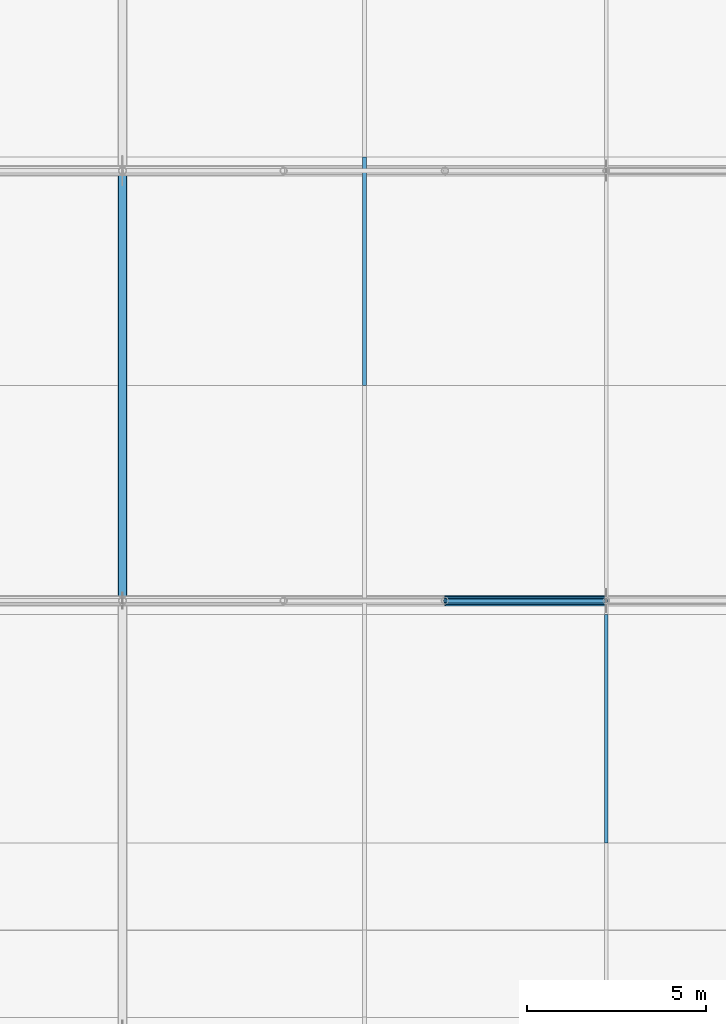
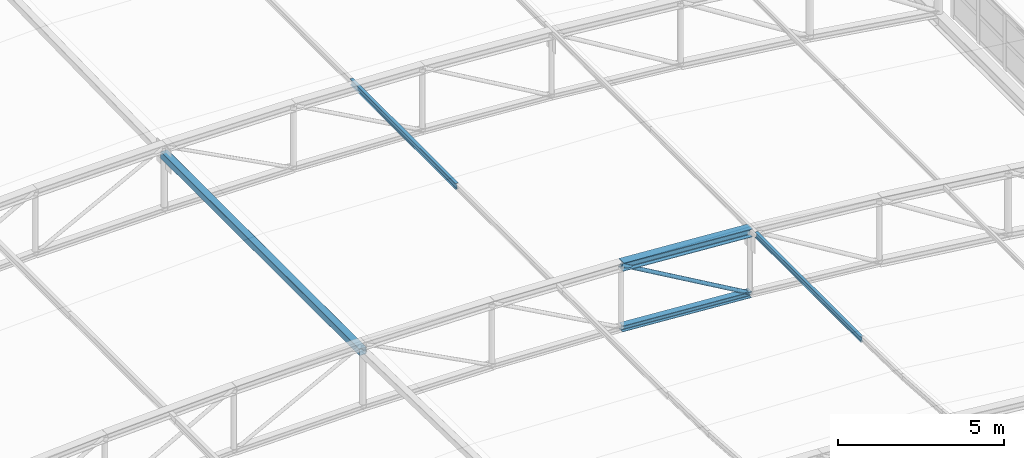
# One storey, part 98 of 262: 6 members.
"""IFC4 building model written with IfcOpenShell, lengths in metres."""

import ifcopenshell
import ifcopenshell.guid

model = None  # the IFC model being written
_history = None  # IfcOwnerHistory: only IFC2X3 demands one
_inside = {}  # id of a spatial element -> (the spatial element, [elements in it])
_under = {}  # id of a project, library or spatial element -> (it, [spatial elements below it])
_declared = {}  # id of a project -> (the project, [libraries it declares])
_typed = {}  # id of a type object -> (the type object, [elements of that type])
_made_of = {}  # id of a material, layer set ... -> (it, [elements and type objects made of it])


def new_model(schema):
    """Start an empty IFC model of exactly this schema.

    Asked for "IFC4X3", IfcOpenShell would pick the latest addendum, in which some entities
    have other attributes; the version numbers below select the first issue.
    IFC2X3 requires an IfcOwnerHistory on every rooted entity: one is made here for all.
    """
    global model, _history
    if schema == "IFC4X3":
        model = ifcopenshell.file(schema_version=(4, 3, 0, 0))
    else:
        model = ifcopenshell.file(schema=schema)
    _inside.clear()
    _under.clear()
    _declared.clear()
    _typed.clear()
    _made_of.clear()
    _history = None
    if model.schema == "IFC2X3":
        org = make("IfcOrganization", Name="unknown")
        user = make(
            "IfcPersonAndOrganization",
            ThePerson=make("IfcPerson", FamilyName="unknown"),
            TheOrganization=org,
        )
        app = make(
            "IfcApplication",
            ApplicationDeveloper=org,
            Version="unknown",
            ApplicationFullName="unknown",
            ApplicationIdentifier="unknown",
        )
        _history = make(
            "IfcOwnerHistory",
            OwningUser=user,
            OwningApplication=app,
            ChangeAction="ADDED",
            CreationDate=0,
        )
    return model


def make(cls, **values):
    """One entity of the class cls with the attributes given. An attribute that is None is left unset."""
    return model.create_entity(
        cls, **{name: value for name, value in values.items() if value is not None}
    )


def rooted(cls, **values):
    """An entity with a GlobalId (a new one), such as an element, a storey or a relation."""
    return make(cls, GlobalId=ifcopenshell.guid.new(), OwnerHistory=_history, **values)


def si_unit(unit_type, name, prefix=None):
    """IfcSIUnit, for example si_unit("LENGTHUNIT", "METRE", prefix="MILLI")."""
    return make("IfcSIUnit", UnitType=unit_type, Prefix=prefix, Name=name)


def derived_unit(unit_type, elements):
    """IfcDerivedUnit: a product of units, each with its exponent."""
    return make(
        "IfcDerivedUnit",
        Elements=[
            make("IfcDerivedUnitElement", Unit=unit, Exponent=power)
            for unit, power in elements
        ],
        UnitType=unit_type,
    )


def assignment(units):
    """IfcUnitAssignment: the units of a project."""
    return None if units is None else make("IfcUnitAssignment", Units=units)


def point(xyz):
    """IfcCartesianPoint."""
    return None if xyz is None else make("IfcCartesianPoint", Coordinates=xyz)


def direction(xyz):
    """IfcDirection."""
    return None if xyz is None else make("IfcDirection", DirectionRatios=xyz)


def frame(location, z_axis=None, x_axis=None):
    """IfcAxis2Placement3D, a coordinate frame: its origin and axes. An axis left out is left unset."""
    return make(
        "IfcAxis2Placement3D",
        Location=point(location),
        Axis=direction(z_axis),
        RefDirection=direction(x_axis),
    )


def frame_2d(location, x_axis=None):
    """IfcAxis2Placement2D, a coordinate frame in the plane: its origin and x axis."""
    return make(
        "IfcAxis2Placement2D", Location=point(location), RefDirection=direction(x_axis)
    )


def origin():
    """The frame at (0, 0, 0) with its axes left unset."""
    return frame((0.0, 0.0, 0.0))


def origin_2d():
    """The frame at (0, 0) in the plane with its x axis left unset."""
    return frame_2d((0.0, 0.0))


def place(relative_to, where):
    """IfcLocalPlacement: puts the frame where relative to a parent placement (None: the world)."""
    return make(
        "IfcLocalPlacement", PlacementRelTo=relative_to, RelativePlacement=where
    )


def context(
    kind, dimensions, precision=None, world=None, true_north=None, identifier=None
):
    """IfcGeometricRepresentationContext, for example the 3D "Model" context."""
    return make(
        "IfcGeometricRepresentationContext",
        ContextIdentifier=identifier,
        ContextType=kind,
        CoordinateSpaceDimension=dimensions,
        Precision=precision,
        WorldCoordinateSystem=world,
        TrueNorth=true_north,
    )


def subcontext(parent, identifier, kind, view, scale=None):
    """IfcGeometricRepresentationSubContext, for example "Body" below "Model"."""
    return make(
        "IfcGeometricRepresentationSubContext",
        ContextIdentifier=identifier,
        ContextType=kind,
        ParentContext=parent,
        TargetScale=scale,
        TargetView=view,
    )


def project(units=None, contexts=None):
    """IfcProject with its units and contexts."""
    return rooted(
        "IfcProject",
        Name="project",
        RepresentationContexts=contexts,
        UnitsInContext=assignment(units),
    )


def spatial(cls, under=None, at=None, **own):
    """A site, building, storey or space (cls), placed at a placement, below another one or the project."""
    s = rooted(cls, ObjectPlacement=at, **own)
    if under is not None:
        _under.setdefault(under.id(), (under, []))[1].append(s)
    return s


def profile(cls, at=None, kind="AREA", **sizes):
    """A parametric profile (cls). Its sizes go by their IFC names, for example OverallWidth=200.0."""
    return make(cls, ProfileType=kind, Position=at, **sizes)


def hollow_rectangle(**sizes):
    """IfcRectangleHollowProfileDef."""
    return profile("IfcRectangleHollowProfileDef", **sizes)


def hollow_circle(**sizes):
    """IfcCircleHollowProfileDef."""
    return profile("IfcCircleHollowProfileDef", **sizes)


def i_section(**sizes):
    """IfcIShapeProfileDef."""
    return profile("IfcIShapeProfileDef", **sizes)


def extrude(swept, where, along, depth):
    """IfcExtrudedAreaSolid: the profile swept, set in the frame where, extruded along a direction by depth."""
    return make(
        "IfcExtrudedAreaSolid",
        SweptArea=swept,
        Position=where,
        ExtrudedDirection=direction(along),
        Depth=depth,
    )


def shape(context_of_items, identifier, shape_type, items):
    """IfcShapeRepresentation: the items that make up one representation, for example the "Body"."""
    return make(
        "IfcShapeRepresentation",
        ContextOfItems=context_of_items,
        RepresentationIdentifier=identifier,
        RepresentationType=shape_type,
        Items=items,
    )


def material(Name=None, Category=None):
    """IfcMaterial."""
    return make("IfcMaterial", Name=Name, Category=Category)


def material_profile(
    of_material, cross_section, Name=None, Category=None, Priority=None
):
    """IfcMaterialProfile: a cross section and its material."""
    return make(
        "IfcMaterialProfile",
        Name=Name,
        Material=of_material,
        Profile=cross_section,
        Priority=Priority,
        Category=Category,
    )


def profile_set(profiles, Name=None, composite=None):
    """IfcMaterialProfileSet."""
    return make(
        "IfcMaterialProfileSet",
        Name=Name,
        MaterialProfiles=profiles,
        CompositeProfile=composite,
    )


def made_of(thing, what):
    """Note that an element or type object is made of a material, layer set ...; save() writes the relation."""
    if what is not None:
        _made_of.setdefault(what.id(), (what, []))[1].append(thing)
    return thing


def type_object(cls, material=None, **own):
    """A type object (cls), such as IfcWallType, which elements share."""
    return made_of(rooted(cls, **own), material)


def element(
    cls,
    number,
    at=None,
    inside=None,
    cuts=None,
    type_object=None,
    material=None,
    context=None,
    identifier="Body",
    shape_type=None,
    held_by="IfcProductDefinitionShape",
    body=None,
    shapes=None,
    **own,
):
    """One element of the class cls, such as IfcWall. Its Tag is "e" and its number.

    at: its placement. inside: the storey or other place that contains it. cuts: it is an
    opening in that element (IfcRelVoidsElement). A single representation is given by context,
    identifier, shape_type and body (its items); several are given by shapes. held_by: the class
    of the entity that holds the representations. save() writes the other relations.
    """
    e = rooted(cls, Tag="e%d" % number, ObjectPlacement=at, **own)
    if body is not None:
        shapes = [shape(context, identifier, shape_type, body)]
    if shapes is not None:
        e.Representation = make(held_by, Representations=shapes)
    if inside is not None:
        _inside.setdefault(inside.id(), (inside, []))[1].append(e)
    if cuts is not None:
        rooted(
            "IfcRelVoidsElement", RelatingBuildingElement=cuts, RelatedOpeningElement=e
        )
    if type_object is not None:
        _typed.setdefault(type_object.id(), (type_object, []))[1].append(e)
    return made_of(e, material)


def aggregate(whole, parts):
    """IfcRelAggregates: a whole, such as a stair, and the parts it consists of."""
    return rooted("IfcRelAggregates", RelatingObject=whole, RelatedObjects=parts)


def save(model, path):
    """Write the relations noted so far, then the file.

    IfcRelAggregates (storeys below a building ...), IfcRelContainedInSpatialStructure (elements
    in a storey), IfcRelDefinesByType, IfcRelAssociatesMaterial and IfcRelDeclares: one each for
    every whole, place, type object, material and project.
    """
    for whole, parts in _under.values():
        aggregate(whole, parts)
    for where, things in _inside.values():
        rooted(
            "IfcRelContainedInSpatialStructure",
            RelatedElements=things,
            RelatingStructure=where,
        )
    for kind, things in _typed.values():
        rooted("IfcRelDefinesByType", RelatedObjects=things, RelatingType=kind)
    for what, things in _made_of.values():
        rooted("IfcRelAssociatesMaterial", RelatedObjects=things, RelatingMaterial=what)
    for by, libraries in _declared.values():
        rooted("IfcRelDeclares", RelatingContext=by, RelatedDefinitions=libraries)
    model.write(path)


model = new_model("IFC4")

# Units and contexts
model_context = context("Model", 3, precision=1e-05, world=origin(), true_north=direction((0.0, 1.0)))
body_context = subcontext(model_context, "Body", "Model", "MODEL_VIEW")
ifc_project = project(units=[si_unit("LENGTHUNIT", "METRE"), si_unit("AREAUNIT", "SQUARE_METRE"), si_unit("VOLUMEUNIT", "CUBIC_METRE"), si_unit("PLANEANGLEUNIT", "RADIAN"), si_unit("MASSUNIT", "GRAM", prefix="KILO"), derived_unit("THERMALTRANSMITTANCEUNIT", [(si_unit("POWERUNIT", "WATT"), 1), (si_unit("LENGTHUNIT", "METRE"), -2), (si_unit("THERMODYNAMICTEMPERATUREUNIT", "KELVIN"), -1)])], contexts=[model_context])

# Site, building, storey
site_placement = place(None, origin())
site = spatial("IfcSite", under=ifc_project, at=site_placement, CompositionType="ELEMENT")
building_placement = place(site_placement, origin())
building = spatial("IfcBuilding", under=site, at=building_placement, Name="Almenara Railside Exhibition Hall", CompositionType="ELEMENT")
storey_placement = place(building_placement, frame((0.0, 0.0, 21.699951171875)))
storey = spatial("IfcBuildingStorey", under=building, at=storey_placement, Name="RF", CompositionType="ELEMENT", Elevation=21.699951171875)

# Members
ifc_material = material(Name="Structural steel S355JR", Category="steel")
ifc_material_profile_1 = material_profile(ifc_material, i_section(OverallWidth=0.300048828125, OverallDepth=0.300048828125, WebThickness=0.010986328125, FlangeThickness=0.01904296875, FilletRadius=0.027099609375, at=origin_2d()), Name="HEB 300")
ifc_profile_set_1 = profile_set([ifc_material_profile_1], Name="Structural steel S355JR")
member_type_1 = type_object("IfcMemberType", Name="Arched Inner Top Chord HEB 300 S355JR", PredefinedType="CHORD", material=ifc_profile_set_1)
member_1_placement = place(storey_placement, frame((48.0, 84.0, 1.855712890625), z_axis=(0.997701025897, 0.0, -0.067769188608), x_axis=(0.0, 1.0, 0.0)))
element("IfcMember", 1, at=member_1_placement, inside=storey, type_object=member_type_1, Name="MEM-TC-V1-03-08", PredefinedType="CHORD", context=body_context, shape_type="SweptSolid", body=[
    extrude(i_section(OverallWidth=0.300048828125, OverallDepth=0.300048828125, WebThickness=0.010986328125, FlangeThickness=0.01904296875, FilletRadius=0.027099609375, at=origin_2d()), origin(), (0.0, 0.0, 1.0), 4.51025390625),
])
ifc_material_profile_2 = material_profile(ifc_material, hollow_rectangle(XDim=0.25, YDim=0.25, WallThickness=0.010009765625, InnerFilletRadius=0.010009765625, OuterFilletRadius=0.02001953125, at=origin_2d()), Name="SHS 250x250x10")
ifc_profile_set_2 = profile_set([ifc_material_profile_2], Name="Structural steel S355JR")
member_type_2 = type_object("IfcMemberType", Name="Heavy Gable Sway Strut SHS 250x250x10 S355JR", PredefinedType="BRACE", material=ifc_profile_set_2)
member_2_placement = place(storey_placement, frame((39.0, 84.0, 1.820068359375), z_axis=(0.0, 1.0, 0.0), x_axis=(-1.0, 0.0, 0.0)))
element("IfcMember", 2, at=member_2_placement, inside=storey, type_object=member_type_2, Name="MEM-ES-V1-03", PredefinedType="BRACE", context=body_context, shape_type="SweptSolid", body=[
    extrude(hollow_rectangle(XDim=0.25, YDim=0.25, WallThickness=0.010009765625, InnerFilletRadius=0.010009765625, OuterFilletRadius=0.02001953125, at=origin_2d()), origin(), (0.0, 0.0, 1.0), 12.0),
])
ifc_material_profile_3 = material_profile(ifc_material, i_section(OverallWidth=0.110107421875, OverallDepth=0.219970703125, WebThickness=0.005859375, FlangeThickness=0.00927734375, FilletRadius=0.011962890625, at=origin_2d()), Name="IPE 220")
ifc_profile_set_3 = profile_set([ifc_material_profile_3], Name="Structural steel S355JR")
member_type_3 = type_object("IfcMemberType", Name="Heavy Hall Roof Purlin IPE 220 S355JR", PredefinedType="PURLIN", material=ifc_profile_set_3)
member_3_placement = place(storey_placement, frame((45.75, 90.0, 1.9052734375), z_axis=(0.0, 1.0, 0.0), x_axis=(-1.0, 0.0, 0.0)))
element("IfcMember", 3, at=member_3_placement, inside=storey, type_object=member_type_3, Name="MEM-PR-V1-PR-IPE220-05-14", PredefinedType="PURLIN", context=body_context, shape_type="SweptSolid", body=[
    extrude(i_section(OverallWidth=0.110107421875, OverallDepth=0.219970703125, WebThickness=0.005859375, FlangeThickness=0.00927734375, FilletRadius=0.011962890625, at=origin_2d()), origin(), (0.0, 0.0, 1.0), 6.3798828125),
])
ifc_material_profile_4 = material_profile(ifc_material, i_section(OverallWidth=0.219970703125, OverallDepth=0.219970703125, WebThickness=0.009521484375, FlangeThickness=0.01611328125, FilletRadius=0.01806640625, at=origin_2d()), Name="HEB 220")
ifc_profile_set_4 = profile_set([ifc_material_profile_4], Name="Structural steel S355JR")
member_type_4 = type_object("IfcMemberType", Name="Scroll Tie Chord HEB 220 S355JR", PredefinedType="CHORD", material=ifc_profile_set_4)
member_4_placement = place(storey_placement, frame((48.0, 84.0, -0.4443359375), z_axis=(0.997701025897, 0.0, -0.067769188608), x_axis=(0.0, 1.0, 0.0)))
element("IfcMember", 4, at=member_4_placement, inside=storey, type_object=member_type_4, Name="MEM-BC-V1-03-08", PredefinedType="CHORD", context=body_context, shape_type="SweptSolid", body=[
    extrude(i_section(OverallWidth=0.219970703125, OverallDepth=0.219970703125, WebThickness=0.009521484375, FlangeThickness=0.01611328125, FilletRadius=0.01806640625, at=origin_2d()), origin(), (0.0, 0.0, 1.0), 4.51025390625),
])
ifc_material_profile_5 = material_profile(ifc_material, i_section(OverallWidth=0.10009765625, OverallDepth=0.199951171875, WebThickness=0.005615234375, FlangeThickness=0.008544921875, FilletRadius=0.011962890625, at=origin_2d()), Name="IPE 200")
ifc_profile_set_5 = profile_set([ifc_material_profile_5], Name="Structural steel S355JR")
member_type_5 = type_object("IfcMemberType", Name="Standard Hall Roof Purlin IPE 200 S355JR", PredefinedType="PURLIN", material=ifc_profile_set_5)
member_5_placement = place(storey_placement, frame((52.5, 77.240478515625, 1.638427734375), z_axis=(0.0, 1.0, 0.0), x_axis=(-1.0, 0.0, 0.0)))
element("IfcMember", 5, at=member_5_placement, inside=storey, type_object=member_type_5, Name="MEM-PR-V1-PR-IPE200-06-12", PredefinedType="PURLIN", context=body_context, shape_type="SweptSolid", body=[
    extrude(i_section(OverallWidth=0.10009765625, OverallDepth=0.199951171875, WebThickness=0.005615234375, FlangeThickness=0.008544921875, FilletRadius=0.011962890625, at=origin_2d()), origin(), (0.0, 0.0, 1.0), 6.379638671875),
])
ifc_material_profile_6 = material_profile(ifc_material, hollow_circle(Radius=0.06982421875, WallThickness=0.0048828125, at=origin_2d()), Name="CHS 139.7x5")
ifc_profile_set_6 = profile_set([ifc_material_profile_6], Name="Structural steel S355JR")
member_type_6 = type_object("IfcMemberType", Name="Truss Inner Diagonal CHS 139.7x5 S355JR", PredefinedType="BRACE", material=ifc_profile_set_6)
member_6_placement = place(storey_placement, frame((48.0, 84.0, 1.855712890625), z_axis=(0.865388781224, 0.0, -0.501101045031), x_axis=(0.0, 1.0, 0.0)))
element("IfcMember", 6, at=member_6_placement, inside=storey, type_object=member_type_6, Name="MEM-TD-V1-03-08", PredefinedType="BRACE", context=body_context, shape_type="SweptSolid", body=[
    extrude(hollow_circle(Radius=0.06982421875, WallThickness=0.0048828125, at=origin_2d()), origin(), (0.0, 0.0, 1.0), 5.199951171875),
])

save(model, "model.ifc")
